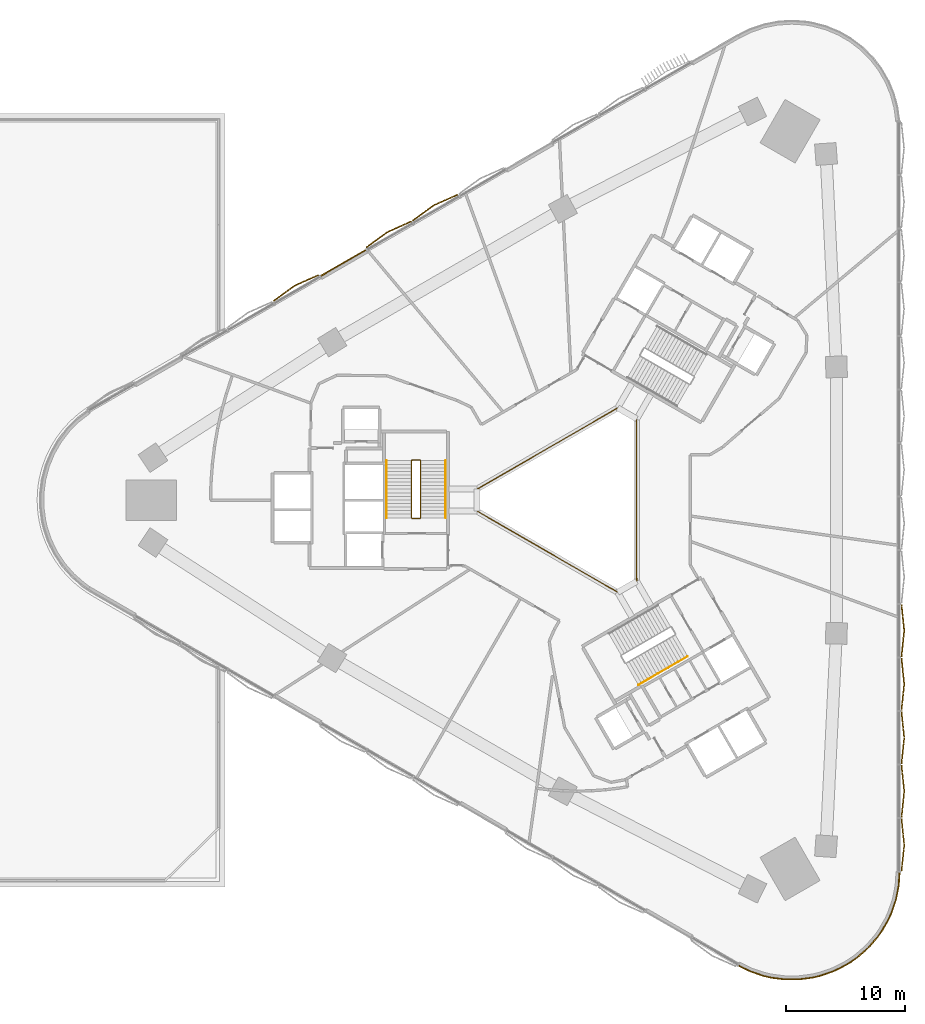
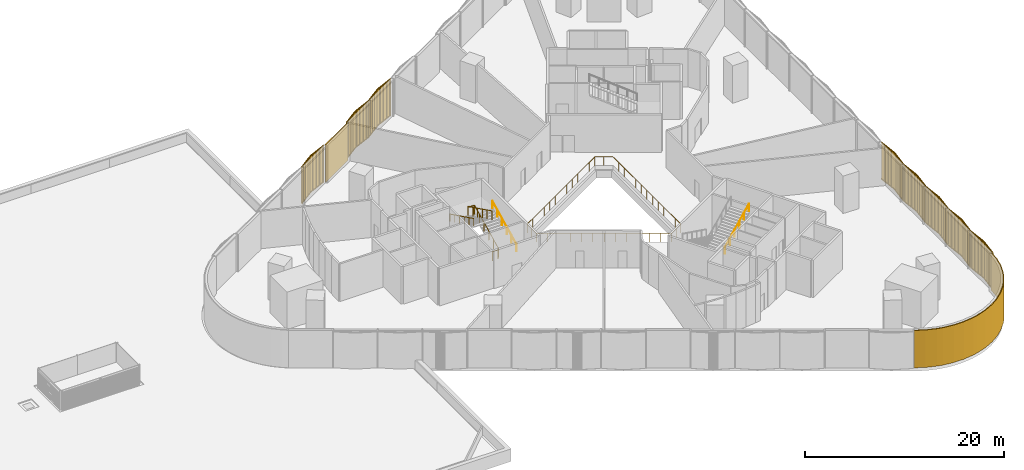
# One storey, part 13 of 14: 10 coverings, 5 railings.
"""IFC4 building model written with IfcOpenShell, lengths in metres."""

from ifc_helpers import new_model, si_unit, direction, frame, frame_2d, origin, origin_2d, place, context, subcontext, project, spatial, polyline, rectangle, circle, outline, extrude, source, transform, mapped, material, layer, layer_set, type_object, element, save


model = new_model("IFC4")

# Units and contexts
model_context = context("Model", 3, precision=1e-05, world=origin(), true_north=direction((0.0, 1.0)))
body_context = subcontext(model_context, "Body", "Model", "MODEL_VIEW")
ifc_project = project(units=[si_unit("LENGTHUNIT", "METRE"), si_unit("AREAUNIT", "SQUARE_METRE"), si_unit("VOLUMEUNIT", "CUBIC_METRE"), si_unit("PLANEANGLEUNIT", "RADIAN"), si_unit("MASSUNIT", "GRAM", prefix="KILO")], contexts=[model_context])

# Site, building, storey
site_placement = place(None, origin())
site = spatial("IfcSite", under=ifc_project, at=site_placement, CompositionType="ELEMENT")
building_placement = place(site_placement, origin())
building = spatial("IfcBuilding", under=site, at=building_placement, Name="Tamra Quay Hotel Tower", CompositionType="ELEMENT")
storey_placement = place(building_placement, frame((0.0, 0.0, 24.5)))
storey = spatial("IfcBuildingStorey", under=building, at=storey_placement, Name="L04", CompositionType="ELEMENT", Elevation=24.5)

# Railing
ifc_material_1 = material(Name="Guard atrium edge 1100")
railing_type_1 = type_object("IfcRailingType", Name="Guard atrium edge 1100", PredefinedType="GUARDRAIL", material=ifc_material_1)
railing_1_placement = place(storey_placement, frame((-8.39599609375, -0.919921875, 0.0)))
element("IfcRailing", 1, at=railing_1_placement, inside=storey, type_object=railing_type_1, Name="G-A", PredefinedType="GUARDRAIL", context=body_context, shape_type="SweptSolid", body=[
    extrude(circle(Radius=0.02392578125, at=origin_2d()), frame((0.0, 0.0, 1.076171875), z_axis=(-0.000531914818, 0.999999858533, 0.0), x_axis=(-0.999999858533, -0.000531914818, 0.0)), (0.0, 0.0, 1.0), 1.8359375),
    extrude(circle(Radius=0.02392578125, at=origin_2d()), frame((-0.0009765625, 1.8359375, 1.076171875), z_axis=(0.865869216588, 0.500270426635, 0.0), x_axis=(-0.500270426635, 0.865869216588, 0.0)), (0.0, 0.0, 1.0), 13.61279296875),
    extrude(circle(Radius=0.02392578125, at=origin_2d()), frame((11.785888671875, 8.64599609375, 1.076171875), z_axis=(0.868406796557, -0.495852433384, 0.0), x_axis=(0.495852433384, 0.868406796557, 0.0)), (0.0, 0.0, 1.0), 1.83544921875),
    extrude(circle(Radius=0.02392578125, at=origin_2d()), frame((13.3798828125, 7.73583984375, 1.076171875), z_axis=(0.000967897595, -0.999999531587, 0.0), x_axis=(0.999999531587, 0.000967897595, 0.0)), (0.0, 0.0, 1.0), 13.620849609375),
    extrude(circle(Radius=0.02392578125, at=origin_2d()), frame((13.39306640625, -5.885009765625, 1.076171875), z_axis=(-0.864891426146, -0.501958983364, 0.0), x_axis=(0.501958983364, -0.864891426146, 0.0)), (0.0, 0.0, 1.0), 1.835205078125),
    extrude(circle(Radius=0.02392578125, at=origin_2d()), frame((11.805908203125, -6.80615234375, 1.076171875), z_axis=(-0.870866334457, 0.491519915679, 0.0), x_axis=(-0.491519915679, -0.870866334457, 0.0)), (0.0, 0.0, 1.0), 1.123046875),
    extrude(circle(Radius=0.02392578125, at=origin_2d()), frame((10.827880859375, -6.254150390625, 1.076171875), z_axis=(-0.865977928108, 0.500082221269, 0.0), x_axis=(-0.500082221269, -0.865977928108, 0.0)), (0.0, 0.0, 1.0), 12.4921875),
    extrude(circle(Radius=0.02392578125, at=origin_2d()), frame((0.010009765625, -0.007080078125, 1.076171875), z_axis=(-0.816415639507, 0.577464720627, 0.0), x_axis=(-0.577464720627, -0.816415639507, 0.0)), (0.0, 0.0, 1.0), 0.01220703125),
    extrude(circle(Radius=0.02099609375, at=origin_2d()), origin(), (0.0, 0.0, 1.0), 1.052001953125),
    extrude(circle(Radius=0.02099609375, at=origin_2d()), frame((-0.00048828125, 0.91796875, 0.0)), (0.0, 0.0, 1.0), 1.052001953125),
    extrude(circle(Radius=0.02099609375, at=origin_2d()), frame((-0.0009765625, 1.8359375, 0.0)), (0.0, 0.0, 1.0), 1.052001953125),
    extrude(circle(Radius=0.02099609375, at=origin_2d()), frame((0.981201171875, 2.4033203125, 0.0)), (0.0, 0.0, 1.0), 1.052001953125),
    extrude(circle(Radius=0.02099609375, at=origin_2d()), frame((1.96337890625, 2.970947265625, 0.0)), (0.0, 0.0, 1.0), 1.052001953125),
    extrude(circle(Radius=0.02099609375, at=origin_2d()), frame((2.94580078125, 3.53857421875, 0.0)), (0.0, 0.0, 1.0), 1.052001953125),
    extrude(circle(Radius=0.02099609375, at=origin_2d()), frame((3.927978515625, 4.10595703125, 0.0)), (0.0, 0.0, 1.0), 1.052001953125),
    extrude(circle(Radius=0.02099609375, at=origin_2d()), frame((4.91015625, 4.67333984375, 0.0)), (0.0, 0.0, 1.0), 1.052001953125),
    extrude(circle(Radius=0.02099609375, at=origin_2d()), frame((5.892578125, 5.240966796875, 0.0)), (0.0, 0.0, 1.0), 1.052001953125),
    extrude(circle(Radius=0.02099609375, at=origin_2d()), frame((6.874755859375, 5.80859375, 0.0)), (0.0, 0.0, 1.0), 1.052001953125),
    extrude(circle(Radius=0.02099609375, at=origin_2d()), frame((7.85693359375, 6.3759765625, 0.0)), (0.0, 0.0, 1.0), 1.052001953125),
    extrude(circle(Radius=0.02099609375, at=origin_2d()), frame((8.839111328125, 6.943359375, 0.0)), (0.0, 0.0, 1.0), 1.052001953125),
    extrude(circle(Radius=0.02099609375, at=origin_2d()), frame((9.8212890625, 7.510986328125, 0.0)), (0.0, 0.0, 1.0), 1.052001953125),
    extrude(circle(Radius=0.02099609375, at=origin_2d()), frame((10.8037109375, 8.07861328125, 0.0)), (0.0, 0.0, 1.0), 1.052001953125),
    extrude(circle(Radius=0.02099609375, at=origin_2d()), frame((11.785888671875, 8.64599609375, 0.0)), (0.0, 0.0, 1.0), 1.052001953125),
    extrude(circle(Radius=0.02099609375, at=origin_2d()), frame((12.5830078125, 8.19091796875, 0.0)), (0.0, 0.0, 1.0), 1.052001953125),
    extrude(circle(Radius=0.02099609375, at=origin_2d()), frame((13.3798828125, 7.73583984375, 0.0)), (0.0, 0.0, 1.0), 1.052001953125),
    extrude(circle(Radius=0.02099609375, at=origin_2d()), frame((13.380859375, 6.600830078125, 0.0)), (0.0, 0.0, 1.0), 1.052001953125),
    extrude(circle(Radius=0.02099609375, at=origin_2d()), frame((13.382080078125, 5.4658203125, 0.0)), (0.0, 0.0, 1.0), 1.052001953125),
    extrude(circle(Radius=0.02099609375, at=origin_2d()), frame((13.38330078125, 4.33056640625, 0.0)), (0.0, 0.0, 1.0), 1.052001953125),
    extrude(circle(Radius=0.02099609375, at=origin_2d()), frame((13.38427734375, 3.195556640625, 0.0)), (0.0, 0.0, 1.0), 1.052001953125),
    extrude(circle(Radius=0.02099609375, at=origin_2d()), frame((13.38525390625, 2.060546875, 0.0)), (0.0, 0.0, 1.0), 1.052001953125),
    extrude(circle(Radius=0.02099609375, at=origin_2d()), frame((13.386474609375, 0.92529296875, 0.0)), (0.0, 0.0, 1.0), 1.052001953125),
    extrude(circle(Radius=0.02099609375, at=origin_2d()), frame((13.3876953125, -0.209716796875, 0.0)), (0.0, 0.0, 1.0), 1.052001953125),
    extrude(circle(Radius=0.02099609375, at=origin_2d()), frame((13.388671875, -1.3447265625, 0.0)), (0.0, 0.0, 1.0), 1.052001953125),
    extrude(circle(Radius=0.02099609375, at=origin_2d()), frame((13.3896484375, -2.479736328125, 0.0)), (0.0, 0.0, 1.0), 1.052001953125),
    extrude(circle(Radius=0.02099609375, at=origin_2d()), frame((13.390869140625, -3.61474609375, 0.0)), (0.0, 0.0, 1.0), 1.052001953125),
    extrude(circle(Radius=0.02099609375, at=origin_2d()), frame((13.39208984375, -4.75, 0.0)), (0.0, 0.0, 1.0), 1.052001953125),
    extrude(circle(Radius=0.02099609375, at=origin_2d()), frame((13.39306640625, -5.885009765625, 0.0)), (0.0, 0.0, 1.0), 1.052001953125),
    extrude(circle(Radius=0.02099609375, at=origin_2d()), frame((12.599609375, -6.345703125, 0.0)), (0.0, 0.0, 1.0), 1.052001953125),
    extrude(circle(Radius=0.02099609375, at=origin_2d()), frame((11.805908203125, -6.80615234375, 0.0)), (0.0, 0.0, 1.0), 1.052001953125),
    extrude(circle(Radius=0.02099609375, at=origin_2d()), frame((10.827880859375, -6.254150390625, 0.0)), (0.0, 0.0, 1.0), 1.052001953125),
    extrude(circle(Radius=0.02099609375, at=origin_2d()), frame((9.844482421875, -5.686279296875, 0.0)), (0.0, 0.0, 1.0), 1.052001953125),
    extrude(circle(Radius=0.02099609375, at=origin_2d()), frame((8.861083984375, -5.118408203125, 0.0)), (0.0, 0.0, 1.0), 1.052001953125),
    extrude(circle(Radius=0.02099609375, at=origin_2d()), frame((7.87744140625, -4.55029296875, 0.0)), (0.0, 0.0, 1.0), 1.052001953125),
    extrude(circle(Radius=0.02099609375, at=origin_2d()), frame((6.89404296875, -3.982421875, 0.0)), (0.0, 0.0, 1.0), 1.052001953125),
    extrude(circle(Radius=0.02099609375, at=origin_2d()), frame((5.91064453125, -3.41455078125, 0.0)), (0.0, 0.0, 1.0), 1.052001953125),
    extrude(circle(Radius=0.02099609375, at=origin_2d()), frame((4.92724609375, -2.8466796875, 0.0)), (0.0, 0.0, 1.0), 1.052001953125),
    extrude(circle(Radius=0.02099609375, at=origin_2d()), frame((3.94384765625, -2.27880859375, 0.0)), (0.0, 0.0, 1.0), 1.052001953125),
    extrude(circle(Radius=0.02099609375, at=origin_2d()), frame((2.96044921875, -1.7109375, 0.0)), (0.0, 0.0, 1.0), 1.052001953125),
    extrude(circle(Radius=0.02099609375, at=origin_2d()), frame((1.976806640625, -1.142822265625, 0.0)), (0.0, 0.0, 1.0), 1.052001953125),
    extrude(circle(Radius=0.02099609375, at=origin_2d()), frame((0.993408203125, -0.574951171875, 0.0)), (0.0, 0.0, 1.0), 1.052001953125),
    extrude(circle(Radius=0.02099609375, at=origin_2d()), frame((0.010009765625, -0.007080078125, 0.0)), (0.0, 0.0, 1.0), 1.052001953125),
])

# Coverings
ifc_material_2 = material(Name="Precast concrete M60 terracotta-coloured pierced relief", Category="masonry")
ifc_layer = layer(ifc_material_2, 0.10009765625)
ifc_layer_set = layer_set([ifc_layer], Name="PIERCED RELIEF PANEL 100")
covering_type_1 = type_object("IfcCoveringType", Name="PIERCED RELIEF PANEL 100", PredefinedType="CLADDING", material=ifc_layer_set)
covering_1_placement = place(storey_placement, frame((-19.6142578125, 19.896728515625, 0.0), z_axis=(0.0, 0.0, 1.0), x_axis=(-0.865872289336, -0.500265108278, 0.0)))
element("IfcCovering", 2, at=covering_1_placement, inside=storey, type_object=covering_type_1, Name="Relief panel L04.NW.08", PredefinedType="CLADDING", context=body_context, shape_type="SweptSolid", body=[
    extrude(rectangle(XDim=4.475830078125, YDim=0.10009765625, at=origin_2d()), origin(), (0.0, 0.0, 1.0), 4.60009765625),
])
covering_2_placement = place(storey_placement, origin())
element("IfcCovering", 3, at=covering_2_placement, inside=storey, type_object=covering_type_1, Name="Relief panel L04.c2", PredefinedType="CLADDING", context=body_context, shape_type="SweptSolid", body=[
    extrude(outline(polyline([(13.5, -38.97119140625), (14.555908203125, -39.491943359375), (15.670654296875, -39.870361328125), (16.244140625, -40.00390625), (17.411376953125, -40.15771484375), (18.588623046875, -40.15771484375), (19.755859375, -40.00390625), (20.329345703125, -39.870361328125), (21.444091796875, -39.491943359375), (22.5, -38.97119140625), (23.000244140625, -38.66015625), (23.478759765625, -38.317138671875), (24.364013671875, -37.540771484375), (25.14013671875, -36.65576171875), (25.483154296875, -36.177001953125), (26.07177734375, -35.157470703125), (26.31494140625, -34.62109375), (26.693359375, -33.50634765625), (26.923095703125, -32.3515625), (27.0, -31.177001953125), (27.099853515625, -31.183349609375), (27.022216796875, -32.36474609375), (26.7900390625, -33.5322265625), (26.407958984375, -34.65771484375), (26.160888671875, -35.203125), (25.5673828125, -36.231201171875), (25.218505859375, -36.718017578125), (24.4345703125, -37.611572265625), (23.541015625, -38.3955078125), (23.0556640625, -38.743408203125), (22.548583984375, -39.05859375), (21.482421875, -39.584228515625), (20.35693359375, -39.96630859375), (19.773681640625, -40.102294921875), (18.59521484375, -40.25732421875), (17.40478515625, -40.25732421875), (16.226318359375, -40.102294921875), (15.64306640625, -39.96630859375), (14.517578125, -39.584228515625), (13.455810546875, -39.060791015625), (13.5, -38.97119140625)])), origin(), (0.0, 0.0, 1.0), 4.60009765625),
])

# Railings
ifc_material_3 = material(Name="Stair guard 1100")
railing_type_2 = type_object("IfcRailingType", Name="Stair guard 1100", PredefinedType="GUARDRAIL", material=ifc_material_3)
railing_2_placement = place(storey_placement, frame((-13.84130859375, -1.530029296875, 0.0)))
element("IfcRailing", 4, at=railing_2_placement, inside=storey, type_object=railing_type_2, Name="GR", PredefinedType="GUARDRAIL", context=body_context, shape_type="SweptSolid", body=[
    extrude(circle(Radius=0.02392578125, at=origin_2d()), frame((0.0, 0.0, 1.076171875), z_axis=(1.0, 0.0, 0.0), x_axis=(0.0, 1.0, 0.0)), (0.0, 0.0, 1.0), 0.658935546875),
    extrude(circle(Radius=0.02392578125, at=origin_2d()), frame((0.658935546875, 0.0, 1.076171875), z_axis=(0.306807167972, 0.306807167972, 0.900965439605), x_axis=(-0.707106781187, 0.707106781187, 0.0)), (0.0, 0.0, 1.0), 0.1630859375),
    extrude(circle(Radius=0.02392578125, at=origin_2d()), frame((0.708984375, 0.050048828125, 1.22314453125), z_axis=(0.0, 0.897329748911, 0.441360761419), x_axis=(-1.0, 0.0, 0.0)), (0.0, 0.0, 1.0), 5.331298828125),
    extrude(circle(Radius=0.02392578125, at=origin_2d()), frame((0.708984375, 4.833984375, 3.576171875), z_axis=(-0.707106781187, 0.707106781187, 0.0), x_axis=(-0.707106781187, -0.707106781187, 0.0)), (0.0, 0.0, 1.0), 0.07080078125),
    extrude(circle(Radius=0.02392578125, at=origin_2d()), frame((0.658935546875, 4.884033203125, 3.576171875), z_axis=(-1.0, 0.0, 0.0), x_axis=(0.0, -1.0, 0.0)), (0.0, 0.0, 1.0), 0.658935546875),
    extrude(circle(Radius=0.02392578125, at=origin_2d()), frame((0.0, 4.884033203125, 3.576171875), z_axis=(-0.306807167972, -0.306807167972, 0.900965439605), x_axis=(0.707106781187, -0.707106781187, 0.0)), (0.0, 0.0, 1.0), 0.1630859375),
    extrude(circle(Radius=0.02392578125, at=origin_2d()), frame((-0.050048828125, 4.833984375, 3.72314453125), z_axis=(0.0, -0.897329748911, 0.441360761419), x_axis=(1.0, 0.0, 0.0)), (0.0, 0.0, 1.0), 5.331298828125),
    extrude(circle(Radius=0.02099609375, at=origin_2d()), origin(), (0.0, 0.0, 1.0), 1.052001953125),
    extrude(circle(Radius=0.02099609375, at=origin_2d()), frame((0.658935546875, 0.0, 0.0)), (0.0, 0.0, 1.0), 1.052001953125),
    extrude(circle(Radius=0.02099609375, at=origin_2d()), frame((0.708984375, 0.050048828125, 0.14697265625)), (0.0, 0.0, 1.0), 1.052001953125),
    extrude(circle(Radius=0.02099609375, at=origin_2d()), frame((0.708984375, 1.0068359375, 0.61767578125)), (0.0, 0.0, 1.0), 1.052001953125),
    extrude(circle(Radius=0.02099609375, at=origin_2d()), frame((0.708984375, 1.963623046875, 1.088134765625)), (0.0, 0.0, 1.0), 1.052001953125),
    extrude(circle(Radius=0.02099609375, at=origin_2d()), frame((0.708984375, 2.92041015625, 1.558837890625)), (0.0, 0.0, 1.0), 1.052001953125),
    extrude(circle(Radius=0.02099609375, at=origin_2d()), frame((0.708984375, 3.877197265625, 2.029296875)), (0.0, 0.0, 1.0), 1.052001953125),
    extrude(circle(Radius=0.02099609375, at=origin_2d()), frame((0.708984375, 4.833984375, 2.5)), (0.0, 0.0, 1.0), 1.052001953125),
    extrude(circle(Radius=0.02099609375, at=origin_2d()), frame((0.658935546875, 4.884033203125, 2.5)), (0.0, 0.0, 1.0), 1.052001953125),
    extrude(circle(Radius=0.02099609375, at=origin_2d()), frame((0.0, 4.884033203125, 2.5)), (0.0, 0.0, 1.0), 1.052001953125),
    extrude(circle(Radius=0.02099609375, at=origin_2d()), frame((-0.050048828125, 4.833984375, 2.64697265625)), (0.0, 0.0, 1.0), 1.052001953125),
    extrude(circle(Radius=0.02099609375, at=origin_2d()), frame((-0.050048828125, 3.877197265625, 3.11767578125)), (0.0, 0.0, 1.0), 1.052001953125),
    extrude(circle(Radius=0.02099609375, at=origin_2d()), frame((-0.050048828125, 2.92041015625, 3.588134765625)), (0.0, 0.0, 1.0), 1.052001953125),
    extrude(circle(Radius=0.02099609375, at=origin_2d()), frame((-0.050048828125, 1.963623046875, 4.058837890625)), (0.0, 0.0, 1.0), 1.052001953125),
    extrude(circle(Radius=0.02099609375, at=origin_2d()), frame((-0.050048828125, 1.0068359375, 4.529296875)), (0.0, 0.0, 1.0), 1.052001953125),
    extrude(circle(Radius=0.02099609375, at=origin_2d()), frame((-0.050048828125, 0.050048828125, 5.0)), (0.0, 0.0, 1.0), 1.052001953125),
])
ifc_material_4 = material(Name="Stair handrail 900")
railing_type_3 = type_object("IfcRailingType", Name="Stair handrail 900", PredefinedType="HANDRAIL", material=ifc_material_4)
railing_3_placement = place(storey_placement, frame((-11.0322265625, -1.47998046875, 0.14697265625)))
element("IfcRailing", 5, at=railing_3_placement, inside=storey, type_object=railing_type_3, Name="HR", PredefinedType="HANDRAIL", context=body_context, shape_type="SweptSolid", body=[
    extrude(circle(Radius=0.02392578125, at=origin_2d()), frame((0.0, 0.0, 0.8759765625), z_axis=(0.0, 0.897329748911, 0.441360761419), x_axis=(-1.0, 0.0, 0.0)), (0.0, 0.0, 1.0), 5.331298828125),
    extrude(circle(Radius=0.02099609375, at=origin_2d()), origin(), (0.0, 0.0, 1.0), 0.851806640625),
    extrude(circle(Radius=0.02099609375, at=origin_2d()), frame((0.0, 0.956787109375, 0.470703125)), (0.0, 0.0, 1.0), 0.851806640625),
    extrude(circle(Radius=0.02099609375, at=origin_2d()), frame((0.0, 1.91357421875, 0.941162109375)), (0.0, 0.0, 1.0), 0.851806640625),
    extrude(circle(Radius=0.02099609375, at=origin_2d()), frame((0.0, 2.870361328125, 1.411865234375)), (0.0, 0.0, 1.0), 0.851806640625),
    extrude(circle(Radius=0.02099609375, at=origin_2d()), frame((0.0, 3.8271484375, 1.88232421875)), (0.0, 0.0, 1.0), 0.851806640625),
    extrude(circle(Radius=0.02099609375, at=origin_2d()), frame((0.0, 4.783935546875, 2.35302734375)), (0.0, 0.0, 1.0), 0.851806640625),
])
railing_4_placement = place(storey_placement, frame((-15.9912109375, 3.303955078125, 2.64697265625)))
element("IfcRailing", 6, at=railing_4_placement, inside=storey, type_object=railing_type_3, Name="HR", PredefinedType="HANDRAIL", context=body_context, shape_type="SweptSolid", body=[
    extrude(circle(Radius=0.02392578125, at=origin_2d()), frame((0.0, 0.0, 0.8759765625), z_axis=(0.0, -0.897329748911, 0.441360761419), x_axis=(1.0, 0.0, 0.0)), (0.0, 0.0, 1.0), 5.331298828125),
    extrude(circle(Radius=0.02099609375, at=origin_2d()), origin(), (0.0, 0.0, 1.0), 0.851806640625),
    extrude(circle(Radius=0.02099609375, at=origin_2d()), frame((0.0, -0.956787109375, 0.470703125)), (0.0, 0.0, 1.0), 0.851806640625),
    extrude(circle(Radius=0.02099609375, at=origin_2d()), frame((0.0, -1.91357421875, 0.941162109375)), (0.0, 0.0, 1.0), 0.851806640625),
    extrude(circle(Radius=0.02099609375, at=origin_2d()), frame((0.0, -2.870361328125, 1.411865234375)), (0.0, 0.0, 1.0), 0.851806640625),
    extrude(circle(Radius=0.02099609375, at=origin_2d()), frame((0.0, -3.8271484375, 1.88232421875)), (0.0, 0.0, 1.0), 0.851806640625),
    extrude(circle(Radius=0.02099609375, at=origin_2d()), frame((0.0, -4.783935546875, 2.35302734375)), (0.0, 0.0, 1.0), 0.851806640625),
])
railing_5_placement = place(storey_placement, frame((5.13427734375, -15.500732421875, 2.64697265625)))
element("IfcRailing", 7, at=railing_5_placement, inside=storey, type_object=railing_type_3, Name="HR", PredefinedType="HANDRAIL", context=body_context, shape_type="SweptSolid", body=[
    extrude(circle(Radius=0.02392578125, at=origin_2d()), frame((0.0, 0.0, 0.8759765625), z_axis=(0.777122553277, 0.448642878872, 0.441361648113), x_axis=(-0.49997573074, 0.866039415195, 0.0)), (0.0, 0.0, 1.0), 5.331298828125),
    extrude(circle(Radius=0.02099609375, at=origin_2d()), origin(), (0.0, 0.0, 1.0), 0.851806640625),
    extrude(circle(Radius=0.02099609375, at=origin_2d()), frame((0.82861328125, 0.478271484375, 0.470703125)), (0.0, 0.0, 1.0), 0.851806640625),
    extrude(circle(Radius=0.02099609375, at=origin_2d()), frame((1.6572265625, 0.956787109375, 0.941162109375)), (0.0, 0.0, 1.0), 0.851806640625),
    extrude(circle(Radius=0.02099609375, at=origin_2d()), frame((2.48583984375, 1.43505859375, 1.411865234375)), (0.0, 0.0, 1.0), 0.851806640625),
    extrude(circle(Radius=0.02099609375, at=origin_2d()), frame((3.314453125, 1.91357421875, 1.88232421875)), (0.0, 0.0, 1.0), 0.851806640625),
    extrude(circle(Radius=0.02099609375, at=origin_2d()), frame((4.14306640625, 2.391845703125, 2.35302734375)), (0.0, 0.0, 1.0), 0.851806640625),
])

# Coverings
ifc_material_5 = material(Name="Terracotta baguette extruded", Category="masonry")
covering_type_2 = type_object("IfcCoveringType", Name="BAGUETTE SCREEN PODIUM-SHALLOW H4600", PredefinedType="USERDEFINED", material=ifc_material_5)
shared_shape = source(origin(), body_context, "Body", "SweptSolid", [
    extrude(rectangle(XDim=2.214599609375, YDim=0.06005859375, at=frame_2d((1.107421875, 0.030029296875))), frame((-2.208740234375, -0.0576171875, -0.1201171875), z_axis=(0.0, 0.0, 1.0), x_axis=(0.994521895368, -0.104528463268, 0.0)), (0.0, 0.0, 1.0), 0.1201171875),
    extrude(rectangle(XDim=2.214599609375, YDim=0.06005859375, at=frame_2d((1.107421875, 0.030029296875))), frame((-2.208740234375, -0.0576171875, -4.60009765625), z_axis=(0.0, 0.0, 1.0), x_axis=(0.994521895368, -0.104528463268, 0.0)), (0.0, 0.0, 1.0), 0.1201171875),
    extrude(rectangle(XDim=0.094970703125, YDim=0.10009765625, at=frame_2d((0.04736328125, 0.050048828125))), frame((-2.199951171875, -0.13330078125, -4.5400390625)), (0.0, 0.0, 1.0), 4.47998046875),
    extrude(rectangle(XDim=0.094970703125, YDim=0.10009765625, at=frame_2d((0.04736328125, 0.050048828125))), frame((-2.099853515625, -0.143798828125, -4.5400390625)), (0.0, 0.0, 1.0), 4.47998046875),
    extrude(rectangle(XDim=0.094970703125, YDim=0.10009765625, at=frame_2d((0.04736328125, 0.050048828125))), frame((-1.999755859375, -0.154296875, -4.5400390625)), (0.0, 0.0, 1.0), 4.47998046875),
    extrude(rectangle(XDim=0.094970703125, YDim=0.10009765625, at=frame_2d((0.04736328125, 0.050048828125))), frame((-1.899658203125, -0.164794921875, -4.5400390625)), (0.0, 0.0, 1.0), 4.47998046875),
    extrude(rectangle(XDim=0.094970703125, YDim=0.10009765625, at=frame_2d((0.04736328125, 0.050048828125))), frame((-1.799560546875, -0.17529296875, -4.5400390625)), (0.0, 0.0, 1.0), 4.47998046875),
    extrude(rectangle(XDim=0.094970703125, YDim=0.10009765625, at=frame_2d((0.04736328125, 0.050048828125))), frame((-1.699462890625, -0.185791015625, -4.5400390625)), (0.0, 0.0, 1.0), 4.47998046875),
    extrude(rectangle(XDim=0.094970703125, YDim=0.10009765625, at=frame_2d((0.04736328125, 0.050048828125))), frame((-1.599365234375, -0.1962890625, -4.5400390625)), (0.0, 0.0, 1.0), 4.47998046875),
    extrude(rectangle(XDim=0.094970703125, YDim=0.10009765625, at=frame_2d((0.04736328125, 0.050048828125))), frame((-1.499267578125, -0.20703125, -4.5400390625)), (0.0, 0.0, 1.0), 4.47998046875),
    extrude(rectangle(XDim=0.094970703125, YDim=0.10009765625, at=frame_2d((0.04736328125, 0.050048828125))), frame((-1.39892578125, -0.217529296875, -4.5400390625)), (0.0, 0.0, 1.0), 4.47998046875),
    extrude(rectangle(XDim=0.094970703125, YDim=0.10009765625, at=frame_2d((0.04736328125, 0.050048828125))), frame((-1.298828125, -0.22802734375, -4.5400390625)), (0.0, 0.0, 1.0), 4.47998046875),
    extrude(rectangle(XDim=0.094970703125, YDim=0.10009765625, at=frame_2d((0.04736328125, 0.050048828125))), frame((-1.19873046875, -0.238525390625, -4.5400390625)), (0.0, 0.0, 1.0), 4.47998046875),
    extrude(rectangle(XDim=0.094970703125, YDim=0.10009765625, at=frame_2d((0.04736328125, 0.050048828125))), frame((-1.0986328125, -0.2490234375, -4.5400390625)), (0.0, 0.0, 1.0), 4.47998046875),
    extrude(rectangle(XDim=0.094970703125, YDim=0.10009765625, at=frame_2d((0.04736328125, 0.050048828125))), frame((-0.99853515625, -0.259521484375, -4.5400390625)), (0.0, 0.0, 1.0), 4.47998046875),
    extrude(rectangle(XDim=0.094970703125, YDim=0.10009765625, at=frame_2d((0.04736328125, 0.050048828125))), frame((-0.8984375, -0.27001953125, -4.5400390625)), (0.0, 0.0, 1.0), 4.47998046875),
    extrude(rectangle(XDim=0.094970703125, YDim=0.10009765625, at=frame_2d((0.04736328125, 0.050048828125))), frame((-0.79833984375, -0.280517578125, -4.5400390625)), (0.0, 0.0, 1.0), 4.47998046875),
    extrude(rectangle(XDim=0.094970703125, YDim=0.10009765625, at=frame_2d((0.04736328125, 0.050048828125))), frame((-0.6982421875, -0.291015625, -4.5400390625)), (0.0, 0.0, 1.0), 4.47998046875),
    extrude(rectangle(XDim=0.094970703125, YDim=0.10009765625, at=frame_2d((0.04736328125, 0.050048828125))), frame((-0.59814453125, -0.301513671875, -4.5400390625)), (0.0, 0.0, 1.0), 4.47998046875),
    extrude(rectangle(XDim=0.094970703125, YDim=0.10009765625, at=frame_2d((0.04736328125, 0.050048828125))), frame((-0.498046875, -0.312255859375, -4.5400390625)), (0.0, 0.0, 1.0), 4.47998046875),
    extrude(rectangle(XDim=0.094970703125, YDim=0.10009765625, at=frame_2d((0.04736328125, 0.050048828125))), frame((-0.39794921875, -0.32275390625, -4.5400390625)), (0.0, 0.0, 1.0), 4.47998046875),
    extrude(rectangle(XDim=0.094970703125, YDim=0.10009765625, at=frame_2d((0.04736328125, 0.050048828125))), frame((-0.2978515625, -0.333251953125, -4.5400390625)), (0.0, 0.0, 1.0), 4.47998046875),
    extrude(rectangle(XDim=0.094970703125, YDim=0.10009765625, at=frame_2d((0.04736328125, 0.050048828125))), frame((-0.19775390625, -0.34375, -4.5400390625)), (0.0, 0.0, 1.0), 4.47998046875),
    extrude(rectangle(XDim=0.094970703125, YDim=0.10009765625, at=frame_2d((0.04736328125, 0.050048828125))), frame((-0.09765625, -0.354248046875, -4.5400390625)), (0.0, 0.0, 1.0), 4.47998046875),
    extrude(rectangle(XDim=2.214599609375, YDim=0.06005859375, at=frame_2d((1.107421875, 0.030029296875))), frame((0.00634765625, -0.2890625, -0.1201171875), z_axis=(0.0, 0.0, 1.0), x_axis=(0.994521895368, 0.104528463268, 0.0)), (0.0, 0.0, 1.0), 0.1201171875),
    extrude(rectangle(XDim=2.214599609375, YDim=0.06005859375, at=frame_2d((1.107421875, 0.030029296875))), frame((0.00634765625, -0.2890625, -4.60009765625), z_axis=(0.0, 0.0, 1.0), x_axis=(0.994521895368, 0.104528463268, 0.0)), (0.0, 0.0, 1.0), 0.1201171875),
    extrude(rectangle(XDim=0.094970703125, YDim=0.10009765625, at=frame_2d((0.04736328125, 0.050048828125))), frame((0.00244140625, -0.354248046875, -4.5400390625)), (0.0, 0.0, 1.0), 4.47998046875),
    extrude(rectangle(XDim=0.094970703125, YDim=0.10009765625, at=frame_2d((0.04736328125, 0.050048828125))), frame((0.102783203125, -0.34375, -4.5400390625)), (0.0, 0.0, 1.0), 4.47998046875),
    extrude(rectangle(XDim=0.094970703125, YDim=0.10009765625, at=frame_2d((0.04736328125, 0.050048828125))), frame((0.202880859375, -0.333251953125, -4.5400390625)), (0.0, 0.0, 1.0), 4.47998046875),
    extrude(rectangle(XDim=0.094970703125, YDim=0.10009765625, at=frame_2d((0.04736328125, 0.050048828125))), frame((0.302978515625, -0.32275390625, -4.5400390625)), (0.0, 0.0, 1.0), 4.47998046875),
    extrude(rectangle(XDim=0.094970703125, YDim=0.10009765625, at=frame_2d((0.04736328125, 0.050048828125))), frame((0.403076171875, -0.312255859375, -4.5400390625)), (0.0, 0.0, 1.0), 4.47998046875),
    extrude(rectangle(XDim=0.094970703125, YDim=0.10009765625, at=frame_2d((0.04736328125, 0.050048828125))), frame((0.503173828125, -0.301513671875, -4.5400390625)), (0.0, 0.0, 1.0), 4.47998046875),
    extrude(rectangle(XDim=0.094970703125, YDim=0.10009765625, at=frame_2d((0.04736328125, 0.050048828125))), frame((0.603271484375, -0.291015625, -4.5400390625)), (0.0, 0.0, 1.0), 4.47998046875),
    extrude(rectangle(XDim=0.094970703125, YDim=0.10009765625, at=frame_2d((0.04736328125, 0.050048828125))), frame((0.703369140625, -0.280517578125, -4.5400390625)), (0.0, 0.0, 1.0), 4.47998046875),
    extrude(rectangle(XDim=0.094970703125, YDim=0.10009765625, at=frame_2d((0.04736328125, 0.050048828125))), frame((0.803466796875, -0.27001953125, -4.5400390625)), (0.0, 0.0, 1.0), 4.47998046875),
    extrude(rectangle(XDim=0.094970703125, YDim=0.10009765625, at=frame_2d((0.04736328125, 0.050048828125))), frame((0.903564453125, -0.259521484375, -4.5400390625)), (0.0, 0.0, 1.0), 4.47998046875),
    extrude(rectangle(XDim=0.094970703125, YDim=0.10009765625, at=frame_2d((0.04736328125, 0.050048828125))), frame((1.003662109375, -0.2490234375, -4.5400390625)), (0.0, 0.0, 1.0), 4.47998046875),
    extrude(rectangle(XDim=0.094970703125, YDim=0.10009765625, at=frame_2d((0.04736328125, 0.050048828125))), frame((1.103759765625, -0.238525390625, -4.5400390625)), (0.0, 0.0, 1.0), 4.47998046875),
    extrude(rectangle(XDim=0.094970703125, YDim=0.10009765625, at=frame_2d((0.04736328125, 0.050048828125))), frame((1.203857421875, -0.22802734375, -4.5400390625)), (0.0, 0.0, 1.0), 4.47998046875),
    extrude(rectangle(XDim=0.094970703125, YDim=0.10009765625, at=frame_2d((0.04736328125, 0.050048828125))), frame((1.303955078125, -0.217529296875, -4.5400390625)), (0.0, 0.0, 1.0), 4.47998046875),
    extrude(rectangle(XDim=0.094970703125, YDim=0.10009765625, at=frame_2d((0.04736328125, 0.050048828125))), frame((1.404052734375, -0.20703125, -4.5400390625)), (0.0, 0.0, 1.0), 4.47998046875),
    extrude(rectangle(XDim=0.094970703125, YDim=0.10009765625, at=frame_2d((0.04736328125, 0.050048828125))), frame((1.504150390625, -0.1962890625, -4.5400390625)), (0.0, 0.0, 1.0), 4.47998046875),
    extrude(rectangle(XDim=0.094970703125, YDim=0.10009765625, at=frame_2d((0.04736328125, 0.050048828125))), frame((1.6044921875, -0.185791015625, -4.5400390625)), (0.0, 0.0, 1.0), 4.47998046875),
    extrude(rectangle(XDim=0.094970703125, YDim=0.10009765625, at=frame_2d((0.04736328125, 0.050048828125))), frame((1.70458984375, -0.17529296875, -4.5400390625)), (0.0, 0.0, 1.0), 4.47998046875),
    extrude(rectangle(XDim=0.094970703125, YDim=0.10009765625, at=frame_2d((0.04736328125, 0.050048828125))), frame((1.8046875, -0.164794921875, -4.5400390625)), (0.0, 0.0, 1.0), 4.47998046875),
    extrude(rectangle(XDim=0.094970703125, YDim=0.10009765625, at=frame_2d((0.04736328125, 0.050048828125))), frame((1.90478515625, -0.154296875, -4.5400390625)), (0.0, 0.0, 1.0), 4.47998046875),
    extrude(rectangle(XDim=0.094970703125, YDim=0.10009765625, at=frame_2d((0.04736328125, 0.050048828125))), frame((2.0048828125, -0.143798828125, -4.5400390625)), (0.0, 0.0, 1.0), 4.47998046875),
    extrude(rectangle(XDim=0.094970703125, YDim=0.10009765625, at=frame_2d((0.04736328125, 0.050048828125))), frame((2.10498046875, -0.13330078125, -4.5400390625)), (0.0, 0.0, 1.0), 4.47998046875),
])
for number, where, z_axis, x_axis, name in (
    (8, (-11.877685546875, 24.47998046875, 4.60009765625), (0.0, 0.0, 1.0), (-0.865872289336, -0.500265108278, 0.0), "Baguette screen L04.NW.f04"),
    (9, (-15.7705078125, 22.230712890625, 4.60009765625), (0.0, 0.0, 1.0), (-0.865872289336, -0.500265108278, 0.0), "Baguette screen L04.NW.f05"),
    (10, (-23.55615234375, 17.732421875, 4.60009765625), (0.0, 0.0, 1.0), (-0.865872289336, -0.500265108278, 0.0), "Baguette screen L04.NW.f06"),
    (11, (27.147216796875, -28.928955078125, 4.60009765625), (0.0, 0.0, 1.0), (-0.000306147728, 0.999999953137, 0.0), "Baguette screen L04.E.f00"),
    (12, (27.14599609375, -24.43310546875, 4.60009765625), (0.0, 0.0, 1.0), (-0.000306147728, 0.999999953137, 0.0), "Baguette screen L04.E.f01"),
    (13, (27.14453125, -19.937255859375, 4.60009765625), (0.0, 0.0, 1.0), (-0.000306147728, 0.999999953137, 0.0), "Baguette screen L04.E.f02"),
    (14, (27.14306640625, -15.441162109375, 4.60009765625), (0.0, 0.0, 1.0), (-0.000306147728, 0.999999953137, 0.0), "Baguette screen L04.E.f03"),
    (15, (27.141845703125, -10.9453125, 4.60009765625), (0.0, 0.0, 1.0), (-0.000306147728, 0.999999953137, 0.0), "Baguette screen L04.E.f04"),
):
    element("IfcCovering", number, at=place(storey_placement, frame(where, z_axis=z_axis, x_axis=x_axis)), inside=storey, type_object=covering_type_2, Name=name, ObjectType="BAGUETTE SCREEN", PredefinedType="USERDEFINED", context=body_context, shape_type="MappedRepresentation", body=[
        mapped(shared_shape, transform((0.0, 0.0, 0.0), scale=1.0)),
    ])

save(model, "model.ifc")
